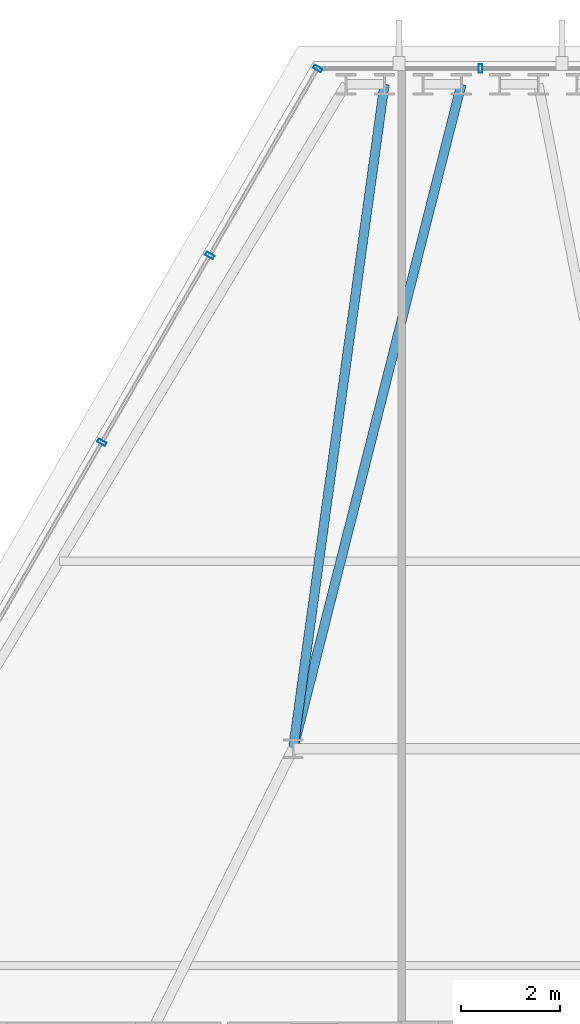
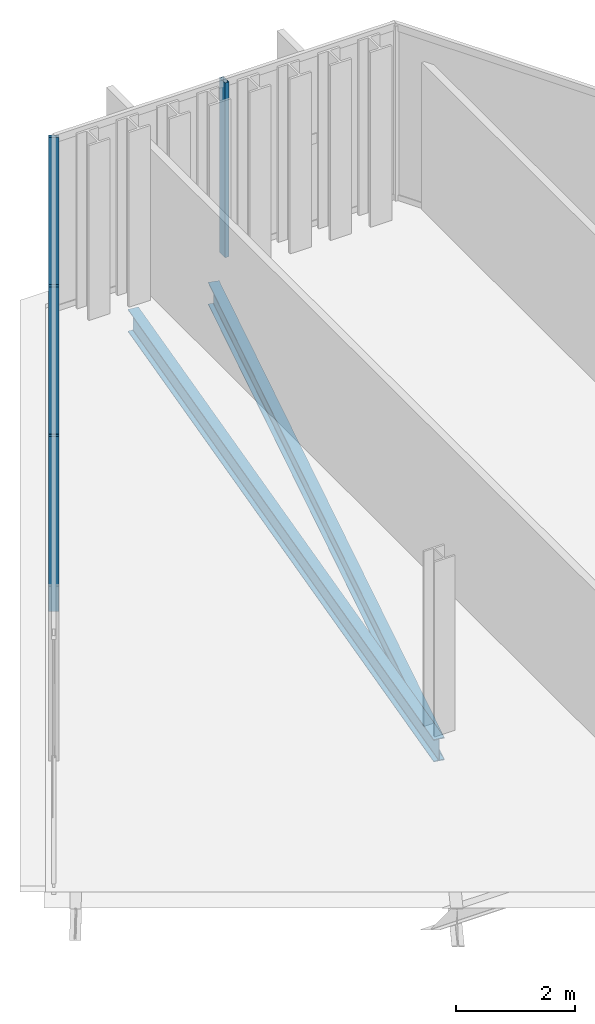
# One storey, part 20 of 29: 4 members, 2 beams, 2 elements without a shape of their own.
"""IFC4 building model written with IfcOpenShell, lengths in metres."""

from ifc_helpers import new_model, si_unit, direction, frame, origin, origin_2d, place, context, subcontext, project, spatial, hollow_rectangle, i_section, extrude, material, layer, layer_set, material_profile, profile_set, type_object, element, aggregate, save


model = new_model("IFC4")

# Units and contexts
model_context = context("Model", 3, precision=1e-05, world=origin(), true_north=direction((0.0, 1.0)))
body_context = subcontext(model_context, "Body", "Model", "MODEL_VIEW")
ifc_project = project(units=[si_unit("LENGTHUNIT", "METRE"), si_unit("AREAUNIT", "SQUARE_METRE"), si_unit("VOLUMEUNIT", "CUBIC_METRE"), si_unit("PLANEANGLEUNIT", "RADIAN"), si_unit("MASSUNIT", "GRAM", prefix="KILO")], contexts=[model_context])

# Site, building, storey
site_placement = place(None, origin())
site = spatial("IfcSite", under=ifc_project, at=site_placement, CompositionType="ELEMENT")
building_placement = place(site_placement, origin())
building = spatial("IfcBuilding", under=site, at=building_placement, Name="Ndaravel Arena Tower", CompositionType="ELEMENT")
storey_placement = place(building_placement, frame((0.0, 0.0, 240.800048828125)))
storey = spatial("IfcBuildingStorey", under=building, at=storey_placement, Name="L58", CompositionType="ELEMENT", Elevation=240.800048828125)

# Beams
ifc_material_1 = material(Name="Steel S355", Category="steel")
ifc_material_profile_1 = material_profile(ifc_material_1, i_section(OverallWidth=0.19140625, OverallDepth=0.4599609375, WebThickness=0.010009765625, FlangeThickness=0.01611328125, FilletRadius=0.01025390625, at=origin_2d()), Name="UB 457x191x82")
ifc_profile_set_1 = profile_set([ifc_material_profile_1], Name="Steel S355")
beam_type = type_object("IfcBeamType", Name="BM-GIRD-UB457", PredefinedType="BEAM", material=ifc_profile_set_1)
beam_1_placement = place(storey_placement, frame((41.610107421875, 44.669677734375, -0.449951171875), z_axis=(-0.245428555553, -0.969414681197, 0.0), x_axis=(0.969414681197, -0.245428555553, 0.0)))
element("IfcBeam", 1, at=beam_1_placement, inside=storey, type_object=beam_type, Name="L58 Radial Floor Girder FG-15", PredefinedType="BEAM", context=body_context, shape_type="SweptSolid", body=[
    extrude(i_section(OverallWidth=0.19140625, OverallDepth=0.4599609375, WebThickness=0.010009765625, FlangeThickness=0.01611328125, FilletRadius=0.01025390625, at=origin_2d()), origin(), (0.0, 0.0, 1.0), 13.894775390625),
])
beam_2_placement = place(storey_placement, frame((40.05078125, 44.669677734375, -0.449951171875), z_axis=(-0.136127580295, -0.990691315135, 0.0), x_axis=(0.990691315135, -0.136127580295, 0.0)))
element("IfcBeam", 2, at=beam_2_placement, inside=storey, type_object=beam_type, Name="L58 Radial Floor Girder FG-17", PredefinedType="BEAM", context=body_context, shape_type="SweptSolid", body=[
    extrude(i_section(OverallWidth=0.19140625, OverallDepth=0.4599609375, WebThickness=0.010009765625, FlangeThickness=0.01611328125, FilletRadius=0.01025390625, at=origin_2d()), origin(), (0.0, 0.0, 1.0), 13.59619140625),
])

# Curtain wall, member
ifc_material_2 = material(Name="Aluminium", Category="aluminium")
ifc_layer_1 = layer(ifc_material_2, 0.179931640625)
ifc_layer_set_1 = layer_set([ifc_layer_1], Name="Aluminium")
curtain_wall_type_1 = type_object("IfcCurtainWallType", Name="CW-SYS-01", PredefinedType="NOTDEFINED", material=ifc_layer_set_1)
curtain_wall_1_placement = place(storey_placement, origin())
curtain_wall_1 = element("IfcCurtainWall", 3, at=curtain_wall_1_placement, inside=storey, type_object=curtain_wall_type_1, Name="L58 Faceted Crystal Curtain Wall CW-L58-E04", PredefinedType="NOTDEFINED")
ifc_material_3 = material(Name="Aluminium", Category="aluminium")
ifc_material_profile_2 = material_profile(ifc_material_3, hollow_rectangle(XDim=0.074951171875, YDim=0.179931640625, WallThickness=0.00390625, at=origin_2d()), Name="CW MULLION 75x180x4")
ifc_profile_set_2 = profile_set([ifc_material_profile_2], Name="Aluminium")
member_type = type_object("IfcMemberType", Name="MEM-CW-MUL180", PredefinedType="MULLION", material=ifc_profile_set_2)
member_1_placement = place(storey_placement, frame((42.0, 44.989501953125, 0.0), z_axis=(0.0, 0.0, 1.0), x_axis=(-1.0, 0.0, 0.0)))
member_1 = element("IfcMember", 4, at=member_1_placement, type_object=member_type, Name="CW-L58-E04 Mullion 01", PredefinedType="MULLION", context=body_context, shape_type="SweptSolid", body=[
    extrude(hollow_rectangle(XDim=0.074951171875, YDim=0.179931640625, WallThickness=0.00390625, at=origin_2d()), origin(), (0.0, 0.0, 1.0), 3.579833984375),
])
aggregate(curtain_wall_1, [member_1])

# Curtain wall, members
ifc_material_4 = material(Name="Aluminium", Category="aluminium")
ifc_layer_2 = layer(ifc_material_4, 0.179931640625)
ifc_layer_set_2 = layer_set([ifc_layer_2], Name="Aluminium")
curtain_wall_type_2 = type_object("IfcCurtainWallType", Name="CW-SYS-03", PredefinedType="NOTDEFINED", material=ifc_layer_set_2)
curtain_wall_2_placement = place(storey_placement, origin())
curtain_wall_2 = element("IfcCurtainWall", 5, at=curtain_wall_2_placement, inside=storey, type_object=curtain_wall_type_2, Name="L58 Faceted Crystal Curtain Wall CW-L58-E05", PredefinedType="NOTDEFINED")
member_2_placement = place(storey_placement, frame((38.6962890625, 44.989501953125, 0.0), z_axis=(0.0, 0.0, 1.0), x_axis=(-0.5, -0.866025403784, 0.0)))
member_2 = element("IfcMember", 6, at=member_2_placement, type_object=member_type, Name="CW-L58-E05 Mullion 00", PredefinedType="MULLION", context=body_context, shape_type="SweptSolid", body=[
    extrude(hollow_rectangle(XDim=0.074951171875, YDim=0.179931640625, WallThickness=0.00390625, at=origin_2d()), origin(), (0.0, 0.0, 1.0), 3.579833984375),
])
member_3_placement = place(storey_placement, frame((36.50830078125, 41.199951171875, 0.0), z_axis=(0.0, 0.0, 1.0), x_axis=(-0.5, -0.866025403784, 0.0)))
member_3 = element("IfcMember", 7, at=member_3_placement, type_object=member_type, Name="CW-L58-E05 Mullion 01", PredefinedType="MULLION", context=body_context, shape_type="SweptSolid", body=[
    extrude(hollow_rectangle(XDim=0.074951171875, YDim=0.179931640625, WallThickness=0.00390625, at=origin_2d()), origin(), (0.0, 0.0, 1.0), 3.579833984375),
])
member_4_placement = place(storey_placement, frame((34.3203125, 37.41015625, 0.0), z_axis=(0.0, 0.0, 1.0), x_axis=(-0.5, -0.866025403784, 0.0)))
member_4 = element("IfcMember", 8, at=member_4_placement, type_object=member_type, Name="CW-L58-E05 Mullion 02", PredefinedType="MULLION", context=body_context, shape_type="SweptSolid", body=[
    extrude(hollow_rectangle(XDim=0.074951171875, YDim=0.179931640625, WallThickness=0.00390625, at=origin_2d()), origin(), (0.0, 0.0, 1.0), 3.579833984375),
])
aggregate(curtain_wall_2, [member_2, member_3, member_4])

save(model, "model.ifc")
